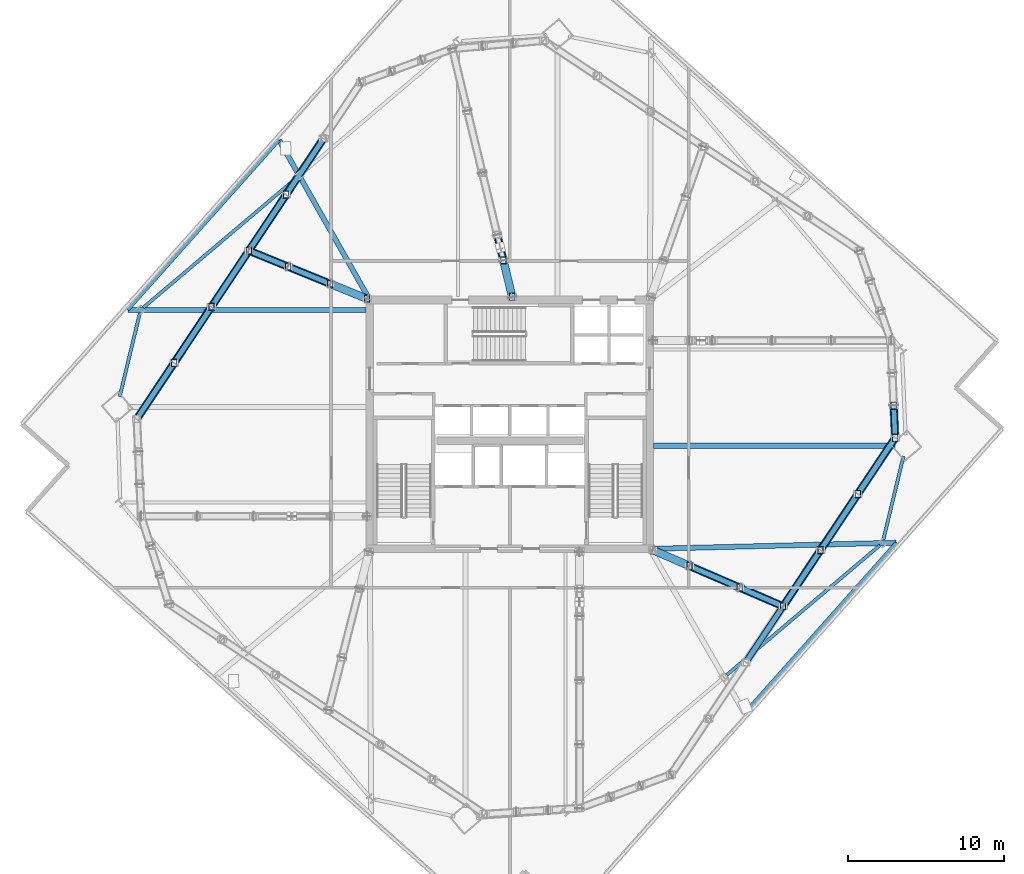
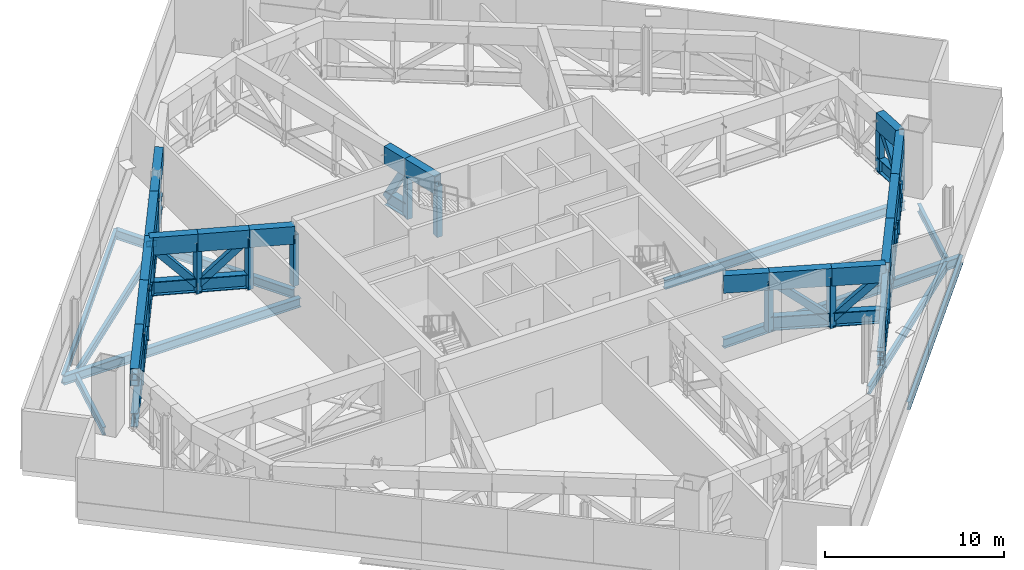
# One storey, part 4 of 18: 63 members, 10 beams.
"""IFC4 building model written with IfcOpenShell, lengths in metres."""

from ifc_helpers import new_model, si_unit, direction, frame, origin, origin_2d, place, context, subcontext, project, spatial, hollow_rectangle, i_section, extrude, material, material_profile, profile_set, type_object, element, save


model = new_model("IFC4")

# Units and contexts
model_context = context("Model", 3, precision=1e-05, world=origin(), true_north=direction((0.0, 1.0)))
body_context = subcontext(model_context, "Body", "Model", "MODEL_VIEW")
ifc_project = project(units=[si_unit("LENGTHUNIT", "METRE"), si_unit("AREAUNIT", "SQUARE_METRE"), si_unit("VOLUMEUNIT", "CUBIC_METRE"), si_unit("PLANEANGLEUNIT", "RADIAN"), si_unit("MASSUNIT", "GRAM", prefix="KILO")], contexts=[model_context])

# Site, building, storey
site_placement = place(None, origin())
site = spatial("IfcSite", under=ifc_project, at=site_placement, CompositionType="ELEMENT")
building_placement = place(site_placement, origin())
building = spatial("IfcBuilding", under=site, at=building_placement, Name="Haldenkirk Collegiate Tower", CompositionType="ELEMENT")
storey_placement = place(building_placement, frame((0.0, 0.0, 189.449951171875)))
storey = spatial("IfcBuildingStorey", under=building, at=storey_placement, Name="L47", CompositionType="ELEMENT", Elevation=189.449951171875)

# Beams
ifc_material_1 = material(Name="Steel ASTM A992 Grade 50", Category="steel")
ifc_material_profile_1 = material_profile(ifc_material_1, i_section(OverallWidth=0.324951171875, OverallDepth=0.615966796875, WebThickness=0.013916015625, FlangeThickness=0.021484375, at=origin_2d()), Name="W24X117")
ifc_profile_set_1 = profile_set([ifc_material_profile_1], Name="Steel ASTM A992 Grade 50")
beam_type_1 = type_object("IfcBeamType", Name="BM-GIRDER-W24X117", PredefinedType="BEAM", material=ifc_profile_set_1)
beam_1_placement = place(storey_placement, frame((60.760009765625, 24.62890625, -0.718017578125), z_axis=(-1.0, 0.0, 0.0), x_axis=(0.0, -1.0, 0.0)))
element("IfcBeam", 1, at=beam_1_placement, inside=storey, type_object=beam_type_1, Name="L47 primary floor girder 02", PredefinedType="BEAM", context=body_context, shape_type="SweptSolid", body=[
    extrude(i_section(OverallWidth=0.324951171875, OverallDepth=0.615966796875, WebThickness=0.013916015625, FlangeThickness=0.021484375, at=origin_2d()), origin(), (0.0, 0.0, 1.0), 15.530029296875),
])
beam_2_placement = place(storey_placement, frame((60.839111328125, 18.394775390625, -0.718017578125), z_axis=(-0.999689353193, -0.024923826214, 0.0), x_axis=(0.024923826214, -0.999689353193, 0.0)))
element("IfcBeam", 2, at=beam_2_placement, inside=storey, type_object=beam_type_1, Name="L47 primary floor girder 07", PredefinedType="BEAM", context=body_context, shape_type="SweptSolid", body=[
    extrude(i_section(OverallWidth=0.324951171875, OverallDepth=0.615966796875, WebThickness=0.013916015625, FlangeThickness=0.021484375, at=origin_2d()), origin(), (0.0, 0.0, 1.0), 15.614013671875),
])
beam_3_placement = place(storey_placement, frame((21.16748046875, 44.272705078125, -0.718017578125), z_axis=(0.493737788908, -0.869610830087, 0.0), x_axis=(0.869610830087, 0.493737788908, 0.0)))
element("IfcBeam", 3, at=beam_3_placement, inside=storey, type_object=beam_type_1, Name="L47 primary floor girder 12", PredefinedType="BEAM", context=body_context, shape_type="SweptSolid", body=[
    extrude(i_section(OverallWidth=0.324951171875, OverallDepth=0.615966796875, WebThickness=0.013916015625, FlangeThickness=0.021484375, at=origin_2d()), origin(), (0.0, 0.0, 1.0), 11.5830078125),
])
beam_4_placement = place(storey_placement, frame((11.44482421875, 33.360107421875, -0.718017578125), z_axis=(1.0, 0.0, 0.0), x_axis=(0.0, 1.0, 0.0)))
element("IfcBeam", 4, at=beam_4_placement, inside=storey, type_object=beam_type_1, Name="L47 primary floor girder 13", PredefinedType="BEAM", context=body_context, shape_type="SweptSolid", body=[
    extrude(i_section(OverallWidth=0.324951171875, OverallDepth=0.615966796875, WebThickness=0.013916015625, FlangeThickness=0.021484375, at=origin_2d()), origin(), (0.0, 0.0, 1.0), 15.3251953125),
])
ifc_material_profile_2 = material_profile(ifc_material_1, i_section(OverallWidth=0.2119140625, OverallDepth=0.5439453125, WebThickness=0.01318359375, FlangeThickness=0.021240234375, at=origin_2d()), Name="W21X83")
ifc_profile_set_2 = profile_set([ifc_material_profile_2], Name="Steel ASTM A992 Grade 50")
beam_type_2 = type_object("IfcBeamType", Name="BM-SPANDREL-W21X83", PredefinedType="SPANDREL", material=ifc_profile_set_2)
beam_5_placement = place(storey_placement, frame((49.937255859375, 9.89111328125, -0.681884765625), z_axis=(0.763233335078, 0.646122957514, 0.0), x_axis=(-0.646122957514, 0.763233335078, 0.0)))
element("IfcBeam", 5, at=beam_5_placement, inside=storey, type_object=beam_type_2, Name="L47 perimeter spandrel beam 03", PredefinedType="SPANDREL", context=body_context, shape_type="SweptSolid", body=[
    extrude(i_section(OverallWidth=0.2119140625, OverallDepth=0.5439453125, WebThickness=0.01318359375, FlangeThickness=0.021240234375, at=origin_2d()), origin(), (0.0, 0.0, 1.0), 12.898193359375),
])
beam_6_placement = place(storey_placement, frame((60.010009765625, 18.595458984375, -0.681884765625), z_axis=(0.23444531808, 0.972129308698, 0.0), x_axis=(-0.972129308698, 0.23444531808, 0.0)))
element("IfcBeam", 6, at=beam_6_placement, inside=storey, type_object=beam_type_2, Name="L47 perimeter spandrel beam 04", PredefinedType="SPANDREL", context=body_context, shape_type="SweptSolid", body=[
    extrude(i_section(OverallWidth=0.2119140625, OverallDepth=0.5439453125, WebThickness=0.01318359375, FlangeThickness=0.021240234375, at=origin_2d()), origin(), (0.0, 0.0, 1.0), 5.50146484375),
])
beam_7_placement = place(storey_placement, frame((22.288818359375, 41.841796875, -0.681884765625), z_axis=(-0.76322543275, -0.64613229203, 0.0), x_axis=(0.64613229203, -0.76322543275, 0.0)))
element("IfcBeam", 7, at=beam_7_placement, inside=storey, type_object=beam_type_2, Name="L47 perimeter spandrel beam 11", PredefinedType="SPANDREL", context=body_context, shape_type="SweptSolid", body=[
    extrude(i_section(OverallWidth=0.2119140625, OverallDepth=0.5439453125, WebThickness=0.01318359375, FlangeThickness=0.021240234375, at=origin_2d()), origin(), (0.0, 0.0, 1.0), 12.89794921875),
])
beam_8_placement = place(storey_placement, frame((12.21630859375, 33.137451171875, -0.681884765625), z_axis=(-0.234477140293, -0.972121633686, 0.0), x_axis=(0.972121633686, -0.234477140293, 0.0)))
element("IfcBeam", 8, at=beam_8_placement, inside=storey, type_object=beam_type_2, Name="L47 perimeter spandrel beam 12", PredefinedType="SPANDREL", context=body_context, shape_type="SweptSolid", body=[
    extrude(i_section(OverallWidth=0.2119140625, OverallDepth=0.5439453125, WebThickness=0.01318359375, FlangeThickness=0.021240234375, at=origin_2d()), origin(), (0.0, 0.0, 1.0), 5.501708984375),
])
beam_9_placement = place(storey_placement, frame((51.0859375, 7.4482421875, -0.681884765625), z_axis=(0.665236761826, 0.746632473654, 0.0), x_axis=(-0.746632473654, 0.665236761826, 0.0)))
element("IfcBeam", 9, at=beam_9_placement, inside=storey, type_object=beam_type_2, Name="L47 outer facade edge beam 1", PredefinedType="SPANDREL", context=body_context, shape_type="SweptSolid", body=[
    extrude(i_section(OverallWidth=0.2119140625, OverallDepth=0.5439453125, WebThickness=0.01318359375, FlangeThickness=0.021240234375, at=origin_2d()), origin(), (0.0, 0.0, 1.0), 14.6611328125),
])
beam_10_placement = place(storey_placement, frame((21.16748046875, 44.272705078125, -0.681884765625), z_axis=(-0.665226021624, -0.746642042852, 0.0), x_axis=(0.746642042852, -0.665226021624, 0.0)))
element("IfcBeam", 10, at=beam_10_placement, inside=storey, type_object=beam_type_2, Name="L47 outer facade edge beam 3", PredefinedType="SPANDREL", context=body_context, shape_type="SweptSolid", body=[
    extrude(i_section(OverallWidth=0.2119140625, OverallDepth=0.5439453125, WebThickness=0.01318359375, FlangeThickness=0.021240234375, at=origin_2d()), origin(), (0.0, 0.0, 1.0), 14.615478515625),
])

# Members
ifc_material_2 = material(Name="Steel ASTM A572 Grade 50", Category="steel")
ifc_material_profile_3 = material_profile(ifc_material_2, hollow_rectangle(XDim=0.5, YDim=1.199951171875, WallThickness=0.050048828125, at=origin_2d()), Name="BOX1200X500X50")
ifc_profile_set_3 = profile_set([ifc_material_profile_3], Name="Steel ASTM A572 Grade 50")
member_type_1 = type_object("IfcMemberType", Name="MBR-CHORD-BOX1200", PredefinedType="CHORD", material=ifc_profile_set_3)
member_1_placement = place(storey_placement, frame((36.153076171875, 34.1943359375, 3.489990234375), z_axis=(-0.234348342714, 0.972152690819, 0.0), x_axis=(-0.972152690819, -0.234348342714, 0.0)))
element("IfcMember", 11, at=member_1_placement, inside=storey, type_object=member_type_1, Name="Outrigger Truss L47 Radial 03 top chord 1", PredefinedType="CHORD", context=body_context, shape_type="SweptSolid", body=[
    extrude(hollow_rectangle(XDim=0.5, YDim=1.199951171875, WallThickness=0.050048828125, at=origin_2d()), origin(), (0.0, 0.0, 1.0), 2.423095703125),
])
member_2_placement = place(storey_placement, frame((35.585205078125, 36.550048828125, 3.489990234375), z_axis=(-0.234446109128, 0.972129117924, 0.0), x_axis=(-0.972129117924, -0.234446109128, 0.0)))
element("IfcMember", 12, at=member_2_placement, inside=storey, type_object=member_type_1, Name="Outrigger Truss L47 Radial 03 top chord 2", PredefinedType="CHORD", context=body_context, shape_type="SweptSolid", body=[
    extrude(hollow_rectangle(XDim=0.5, YDim=1.199951171875, WallThickness=0.050048828125, at=origin_2d()), origin(), (0.0, 0.0, 1.0), 1.677734375),
])
member_3_placement = place(storey_placement, frame((45.18359375, 17.9208984375, 3.489990234375), z_axis=(0.91832468013, -0.395827970038, 0.0), x_axis=(0.395827970038, 0.91832468013, 0.0)))
element("IfcMember", 13, at=member_3_placement, inside=storey, type_object=member_type_1, Name="Outrigger Truss L47 Radial 05 top chord 1", PredefinedType="CHORD", context=body_context, shape_type="SweptSolid", body=[
    extrude(hollow_rectangle(XDim=0.5, YDim=1.199951171875, WallThickness=0.050048828125, at=origin_2d()), origin(), (0.0, 0.0, 1.0), 2.576904296875),
])
member_4_placement = place(storey_placement, frame((47.550048828125, 16.90087890625, 3.489990234375), z_axis=(0.918278709874, -0.395934604439, 0.0), x_axis=(0.395934604439, 0.918278709874, 0.0)))
element("IfcMember", 14, at=member_4_placement, inside=storey, type_object=member_type_1, Name="Outrigger Truss L47 Radial 05 top chord 2", PredefinedType="CHORD", context=body_context, shape_type="SweptSolid", body=[
    extrude(hollow_rectangle(XDim=0.5, YDim=1.199951171875, WallThickness=0.050048828125, at=origin_2d()), origin(), (0.0, 0.0, 1.0), 3.50732421875),
])
member_5_placement = place(storey_placement, frame((50.770751953125, 15.51220703125, 3.489990234375), z_axis=(0.918333642408, -0.39580717682, 0.0), x_axis=(0.39580717682, 0.918333642408, 0.0)))
element("IfcMember", 15, at=member_5_placement, inside=storey, type_object=member_type_1, Name="Outrigger Truss L47 Radial 05 top chord 3", PredefinedType="CHORD", context=body_context, shape_type="SweptSolid", body=[
    extrude(hollow_rectangle(XDim=0.5, YDim=1.199951171875, WallThickness=0.050048828125, at=origin_2d()), origin(), (0.0, 0.0, 1.0), 3.042236328125),
])
member_6_placement = place(storey_placement, frame((26.814697265625, 34.075439453125, 3.489990234375), z_axis=(-0.926164113393, 0.377120716831, 0.0), x_axis=(-0.377120716831, -0.926164113393, 0.0)))
element("IfcMember", 16, at=member_6_placement, inside=storey, type_object=member_type_1, Name="Outrigger Truss L47 Radial 07 top chord 1", PredefinedType="CHORD", context=body_context, shape_type="SweptSolid", body=[
    extrude(hollow_rectangle(XDim=0.5, YDim=1.199951171875, WallThickness=0.050048828125, at=origin_2d()), origin(), (0.0, 0.0, 1.0), 2.55322265625),
])
member_7_placement = place(storey_placement, frame((24.449951171875, 35.038330078125, 3.489990234375), z_axis=(-0.92614339915, 0.377171584575, 0.0), x_axis=(-0.377171584575, -0.92614339915, 0.0)))
element("IfcMember", 17, at=member_7_placement, inside=storey, type_object=member_type_1, Name="Outrigger Truss L47 Radial 07 top chord 2", PredefinedType="CHORD", context=body_context, shape_type="SweptSolid", body=[
    extrude(hollow_rectangle(XDim=0.5, YDim=1.199951171875, WallThickness=0.050048828125, at=origin_2d()), origin(), (0.0, 0.0, 1.0), 2.908935546875),
])
member_8_placement = place(storey_placement, frame((21.755859375, 36.135498046875, 3.489990234375), z_axis=(-0.926159439459, 0.377132195259, 0.0), x_axis=(-0.377132195259, -0.926159439459, 0.0)))
element("IfcMember", 18, at=member_8_placement, inside=storey, type_object=member_type_1, Name="Outrigger Truss L47 Radial 07 top chord 3", PredefinedType="CHORD", context=body_context, shape_type="SweptSolid", body=[
    extrude(hollow_rectangle(XDim=0.5, YDim=1.199951171875, WallThickness=0.050048828125, at=origin_2d()), origin(), (0.0, 0.0, 1.0), 2.731201171875),
])
for number, where, z_axis, x_axis, name in (
    (19, (53.564453125, 14.30810546875, 3.489990234375), (0.554101801852, 0.832448913258, 0.0), (-0.832448913258, 0.554101801852, 0.0), "Belt Truss L47-03 top chord 1"),
    (20, (55.96484375, 17.914306640625, 3.489990234375), (0.554101801852, 0.832448913258, 0.0), (-0.832448913258, 0.554101801852, 0.0), "Belt Truss L47-03 top chord 2"),
    (21, (58.365234375, 21.5205078125, 3.489990234375), (0.554166850243, 0.832405611521, 0.0), (-0.832405611521, 0.554166850243, 0.0), "Belt Truss L47-03 top chord 3"),
):
    element("IfcMember", number, at=place(storey_placement, frame(where, z_axis=z_axis, x_axis=x_axis)), inside=storey, type_object=member_type_1, Name=name, PredefinedType="CHORD", context=body_context, shape_type="SweptSolid", body=[
        extrude(hollow_rectangle(XDim=0.5, YDim=1.199951171875, WallThickness=0.050048828125, at=origin_2d()), origin(), (0.0, 0.0, 1.0), 4.33203125),
    ])
member_9_placement = place(storey_placement, frame((60.765869140625, 25.12646484375, 3.489990234375), z_axis=(-0.044665118208, 0.999002015621, 0.0), x_axis=(-0.999002015621, -0.044665118208, 0.0)))
element("IfcMember", 22, at=member_9_placement, inside=storey, type_object=member_type_1, Name="Belt Truss L47-04 top chord 1", PredefinedType="CHORD", context=body_context, shape_type="SweptSolid", body=[
    extrude(hollow_rectangle(XDim=0.5, YDim=1.199951171875, WallThickness=0.050048828125, at=origin_2d()), origin(), (0.0, 0.0, 1.0), 2.088134765625),
])
member_10_placement = place(storey_placement, frame((24.02734375, 44.377685546875, 3.489990234375), z_axis=(-0.554140853784, -0.832422917853, 0.0), x_axis=(0.832422917853, -0.554140853784, 0.0)))
element("IfcMember", 23, at=member_10_placement, inside=storey, type_object=member_type_1, Name="Belt Truss L47-10 top chord 2", PredefinedType="CHORD", context=body_context, shape_type="SweptSolid", body=[
    extrude(hollow_rectangle(XDim=0.5, YDim=1.199951171875, WallThickness=0.050048828125, at=origin_2d()), origin(), (0.0, 0.0, 1.0), 4.332275390625),
])
member_11_placement = place(storey_placement, frame((21.626708984375, 40.771484375, 3.489990234375), z_axis=(-0.554127798102, -0.832431608825, 0.0), x_axis=(0.832431608825, -0.554127798102, 0.0)))
element("IfcMember", 24, at=member_11_placement, inside=storey, type_object=member_type_1, Name="Belt Truss L47-10 top chord 3", PredefinedType="CHORD", context=body_context, shape_type="SweptSolid", body=[
    extrude(hollow_rectangle(XDim=0.5, YDim=1.199951171875, WallThickness=0.050048828125, at=origin_2d()), origin(), (0.0, 0.0, 1.0), 4.331787109375),
])
for number, where, z_axis, x_axis, name in (
    (25, (19.226318359375, 37.16552734375, 3.489990234375), (-0.554101801852, -0.832448913258, 0.0), (0.832448913258, -0.554101801852, 0.0), "Belt Truss L47-11 top chord 1"),
    (26, (16.825927734375, 33.559326171875, 3.489990234375), (-0.554101801852, -0.832448913258, 0.0), (0.832448913258, -0.554101801852, 0.0), "Belt Truss L47-11 top chord 2"),
):
    element("IfcMember", number, at=place(storey_placement, frame(where, z_axis=z_axis, x_axis=x_axis)), inside=storey, type_object=member_type_1, Name=name, PredefinedType="CHORD", context=body_context, shape_type="SweptSolid", body=[
        extrude(hollow_rectangle(XDim=0.5, YDim=1.199951171875, WallThickness=0.050048828125, at=origin_2d()), origin(), (0.0, 0.0, 1.0), 4.33203125),
    ])
member_12_placement = place(storey_placement, frame((14.425537109375, 29.953125, 3.489990234375), z_axis=(-0.554127798102, -0.832431608825, 0.0), x_axis=(0.832431608825, -0.554127798102, 0.0)))
element("IfcMember", 27, at=member_12_placement, inside=storey, type_object=member_type_1, Name="Belt Truss L47-11 top chord 3", PredefinedType="CHORD", context=body_context, shape_type="SweptSolid", body=[
    extrude(hollow_rectangle(XDim=0.5, YDim=1.199951171875, WallThickness=0.050048828125, at=origin_2d()), origin(), (0.0, 0.0, 1.0), 4.331787109375),
])
ifc_material_3 = material(Name="Steel ASTM A913 Grade 65", Category="steel")
ifc_material_profile_4 = material_profile(ifc_material_3, i_section(OverallWidth=0.423095703125, OverallDepth=0.947998046875, WebThickness=0.02392578125, FlangeThickness=0.042724609375, at=origin_2d()), Name="W36X302")
ifc_profile_set_4 = profile_set([ifc_material_profile_4], Name="Steel ASTM A913 Grade 65")
member_type_2 = type_object("IfcMemberType", Name="MBR-CHORD-W36X302", PredefinedType="CHORD", material=ifc_profile_set_4)
member_13_placement = place(storey_placement, frame((35.585205078125, 36.550048828125, 0.550048828125), z_axis=(-0.234446109128, 0.972129117924, 0.0), x_axis=(-0.972129117924, -0.234446109128, 0.0)))
element("IfcMember", 28, at=member_13_placement, inside=storey, type_object=member_type_2, Name="Outrigger Truss L47 Radial 03 bottom chord 2", PredefinedType="CHORD", context=body_context, shape_type="SweptSolid", body=[
    extrude(i_section(OverallWidth=0.423095703125, OverallDepth=0.947998046875, WebThickness=0.02392578125, FlangeThickness=0.042724609375, at=origin_2d()), origin(), (0.0, 0.0, 1.0), 1.677734375),
])
member_14_placement = place(storey_placement, frame((47.550048828125, 16.90087890625, 0.550048828125), z_axis=(0.918278709874, -0.395934604439, 0.0), x_axis=(0.395934604439, 0.918278709874, 0.0)))
element("IfcMember", 29, at=member_14_placement, inside=storey, type_object=member_type_2, Name="Outrigger Truss L47 Radial 05 bottom chord 2", PredefinedType="CHORD", context=body_context, shape_type="SweptSolid", body=[
    extrude(i_section(OverallWidth=0.423095703125, OverallDepth=0.947998046875, WebThickness=0.02392578125, FlangeThickness=0.042724609375, at=origin_2d()), origin(), (0.0, 0.0, 1.0), 3.50732421875),
])
member_15_placement = place(storey_placement, frame((50.770751953125, 15.51220703125, 0.550048828125), z_axis=(0.918333642408, -0.39580717682, 0.0), x_axis=(0.39580717682, 0.918333642408, 0.0)))
element("IfcMember", 30, at=member_15_placement, inside=storey, type_object=member_type_2, Name="Outrigger Truss L47 Radial 05 bottom chord 3", PredefinedType="CHORD", context=body_context, shape_type="SweptSolid", body=[
    extrude(i_section(OverallWidth=0.423095703125, OverallDepth=0.947998046875, WebThickness=0.02392578125, FlangeThickness=0.042724609375, at=origin_2d()), origin(), (0.0, 0.0, 1.0), 3.042236328125),
])
member_16_placement = place(storey_placement, frame((24.449951171875, 35.038330078125, 0.550048828125), z_axis=(-0.92614339915, 0.377171584575, 0.0), x_axis=(-0.377171584575, -0.92614339915, 0.0)))
element("IfcMember", 31, at=member_16_placement, inside=storey, type_object=member_type_2, Name="Outrigger Truss L47 Radial 07 bottom chord 2", PredefinedType="CHORD", context=body_context, shape_type="SweptSolid", body=[
    extrude(i_section(OverallWidth=0.423095703125, OverallDepth=0.947998046875, WebThickness=0.02392578125, FlangeThickness=0.042724609375, at=origin_2d()), origin(), (0.0, 0.0, 1.0), 2.908935546875),
])
member_17_placement = place(storey_placement, frame((21.755859375, 36.135498046875, 0.550048828125), z_axis=(-0.926159439459, 0.377132195259, 0.0), x_axis=(-0.377132195259, -0.926159439459, 0.0)))
element("IfcMember", 32, at=member_17_placement, inside=storey, type_object=member_type_2, Name="Outrigger Truss L47 Radial 07 bottom chord 3", PredefinedType="CHORD", context=body_context, shape_type="SweptSolid", body=[
    extrude(i_section(OverallWidth=0.423095703125, OverallDepth=0.947998046875, WebThickness=0.02392578125, FlangeThickness=0.042724609375, at=origin_2d()), origin(), (0.0, 0.0, 1.0), 2.731201171875),
])
for number, where, z_axis, x_axis, name in (
    (33, (51.1640625, 10.701904296875, 0.550048828125), (0.554101801852, 0.832448913258, 0.0), (-0.832448913258, 0.554101801852, 0.0), "Belt Truss L47-02 bottom chord 3"),
    (34, (53.564453125, 14.30810546875, 0.550048828125), (0.554101801852, 0.832448913258, 0.0), (-0.832448913258, 0.554101801852, 0.0), "Belt Truss L47-03 bottom chord 1"),
    (35, (55.96484375, 17.914306640625, 0.550048828125), (0.554101801852, 0.832448913258, 0.0), (-0.832448913258, 0.554101801852, 0.0), "Belt Truss L47-03 bottom chord 2"),
    (36, (58.365234375, 21.5205078125, 0.550048828125), (0.554166850243, 0.832405611521, 0.0), (-0.832405611521, 0.554166850243, 0.0), "Belt Truss L47-03 bottom chord 3"),
):
    element("IfcMember", number, at=place(storey_placement, frame(where, z_axis=z_axis, x_axis=x_axis)), inside=storey, type_object=member_type_2, Name=name, PredefinedType="CHORD", context=body_context, shape_type="SweptSolid", body=[
        extrude(i_section(OverallWidth=0.423095703125, OverallDepth=0.947998046875, WebThickness=0.02392578125, FlangeThickness=0.042724609375, at=origin_2d()), origin(), (0.0, 0.0, 1.0), 4.33203125),
    ])
member_18_placement = place(storey_placement, frame((60.765869140625, 25.12646484375, 0.550048828125), z_axis=(-0.044665118208, 0.999002015621, 0.0), x_axis=(-0.999002015621, -0.044665118208, 0.0)))
element("IfcMember", 37, at=member_18_placement, inside=storey, type_object=member_type_2, Name="Belt Truss L47-04 bottom chord 1", PredefinedType="CHORD", context=body_context, shape_type="SweptSolid", body=[
    extrude(i_section(OverallWidth=0.423095703125, OverallDepth=0.947998046875, WebThickness=0.02392578125, FlangeThickness=0.042724609375, at=origin_2d()), origin(), (0.0, 0.0, 1.0), 2.088134765625),
])
member_19_placement = place(storey_placement, frame((24.02734375, 44.377685546875, 0.550048828125), z_axis=(-0.554140853784, -0.832422917853, 0.0), x_axis=(0.832422917853, -0.554140853784, 0.0)))
element("IfcMember", 38, at=member_19_placement, inside=storey, type_object=member_type_2, Name="Belt Truss L47-10 bottom chord 2", PredefinedType="CHORD", context=body_context, shape_type="SweptSolid", body=[
    extrude(i_section(OverallWidth=0.423095703125, OverallDepth=0.947998046875, WebThickness=0.02392578125, FlangeThickness=0.042724609375, at=origin_2d()), origin(), (0.0, 0.0, 1.0), 4.332275390625),
])
member_20_placement = place(storey_placement, frame((21.626708984375, 40.771484375, 0.550048828125), z_axis=(-0.554127798102, -0.832431608825, 0.0), x_axis=(0.832431608825, -0.554127798102, 0.0)))
element("IfcMember", 39, at=member_20_placement, inside=storey, type_object=member_type_2, Name="Belt Truss L47-10 bottom chord 3", PredefinedType="CHORD", context=body_context, shape_type="SweptSolid", body=[
    extrude(i_section(OverallWidth=0.423095703125, OverallDepth=0.947998046875, WebThickness=0.02392578125, FlangeThickness=0.042724609375, at=origin_2d()), origin(), (0.0, 0.0, 1.0), 4.331787109375),
])
for number, where, z_axis, x_axis, name in (
    (40, (19.226318359375, 37.16552734375, 0.550048828125), (-0.554101801852, -0.832448913258, 0.0), (0.832448913258, -0.554101801852, 0.0), "Belt Truss L47-11 bottom chord 1"),
    (41, (16.825927734375, 33.559326171875, 0.550048828125), (-0.554101801852, -0.832448913258, 0.0), (0.832448913258, -0.554101801852, 0.0), "Belt Truss L47-11 bottom chord 2"),
):
    element("IfcMember", number, at=place(storey_placement, frame(where, z_axis=z_axis, x_axis=x_axis)), inside=storey, type_object=member_type_2, Name=name, PredefinedType="CHORD", context=body_context, shape_type="SweptSolid", body=[
        extrude(i_section(OverallWidth=0.423095703125, OverallDepth=0.947998046875, WebThickness=0.02392578125, FlangeThickness=0.042724609375, at=origin_2d()), origin(), (0.0, 0.0, 1.0), 4.33203125),
    ])
member_21_placement = place(storey_placement, frame((14.425537109375, 29.953125, 0.550048828125), z_axis=(-0.554127798102, -0.832431608825, 0.0), x_axis=(0.832431608825, -0.554127798102, 0.0)))
element("IfcMember", 42, at=member_21_placement, inside=storey, type_object=member_type_2, Name="Belt Truss L47-11 bottom chord 3", PredefinedType="CHORD", context=body_context, shape_type="SweptSolid", body=[
    extrude(i_section(OverallWidth=0.423095703125, OverallDepth=0.947998046875, WebThickness=0.02392578125, FlangeThickness=0.042724609375, at=origin_2d()), origin(), (0.0, 0.0, 1.0), 4.331787109375),
])
ifc_material_profile_5 = material_profile(ifc_material_2, hollow_rectangle(XDim=0.35009765625, YDim=0.35009765625, WallThickness=0.01611328125, at=origin_2d()), Name="HSS350X350X16")
ifc_profile_set_5 = profile_set([ifc_material_profile_5], Name="Steel ASTM A572 Grade 50")
member_type_3 = type_object("IfcMemberType", Name="MBR-TRUSSDIAG-HSS350X350X16", PredefinedType="BRACE", material=ifc_profile_set_5)
for number, where, z_axis, x_axis, name in (
    (43, (51.1640625, 10.701904296875, 0.550048828125), (0.458488925266, 0.688805931154, 0.561546342357), (-0.832448913258, 0.554101801852, 0.0), "Belt Truss L47-02 web diagonal 3"),
    (44, (53.564453125, 14.30810546875, 0.550048828125), (0.458488925266, 0.688805931154, 0.561546342357), (-0.832448913258, 0.554101801852, 0.0), "Belt Truss L47-03 web diagonal 1"),
    (45, (55.96484375, 17.914306640625, 3.489990234375), (0.458488925266, 0.688805931154, -0.561546342357), (-0.832448913258, 0.554101801852, 0.0), "Belt Truss L47-03 web diagonal 2"),
    (46, (58.365234375, 21.5205078125, 0.550048828125), (0.458540481435, 0.688766694883, 0.561552372362), (-0.832405611521, 0.554166850243, 0.0), "Belt Truss L47-03 web diagonal 3"),
):
    element("IfcMember", number, at=place(storey_placement, frame(where, z_axis=z_axis, x_axis=x_axis)), inside=storey, type_object=member_type_3, Name=name, PredefinedType="BRACE", context=body_context, shape_type="SweptSolid", body=[
        extrude(hollow_rectangle(XDim=0.35009765625, YDim=0.35009765625, WallThickness=0.01611328125, at=origin_2d()), origin(), (0.0, 0.0, 1.0), 5.2353515625),
    ])
member_22_placement = place(storey_placement, frame((60.765869140625, 25.12646484375, 0.550048828125), z_axis=(-0.025863074819, 0.578466259818, 0.815296196246), x_axis=(-0.999002015621, -0.044665118208, 0.0)))
element("IfcMember", 47, at=member_22_placement, inside=storey, type_object=member_type_3, Name="Belt Truss L47-04 web diagonal 1", PredefinedType="BRACE", context=body_context, shape_type="SweptSolid", body=[
    extrude(hollow_rectangle(XDim=0.35009765625, YDim=0.35009765625, WallThickness=0.01611328125, at=origin_2d()), origin(), (0.0, 0.0, 1.0), 3.60595703125),
])
member_23_placement = place(storey_placement, frame((24.02734375, 44.377685546875, 3.489990234375), z_axis=(-0.458525753724, -0.688791203931, -0.561534336046), x_axis=(0.832422917853, -0.554140853784, 0.0)))
element("IfcMember", 48, at=member_23_placement, inside=storey, type_object=member_type_3, Name="Belt Truss L47-10 web diagonal 2", PredefinedType="BRACE", context=body_context, shape_type="SweptSolid", body=[
    extrude(hollow_rectangle(XDim=0.35009765625, YDim=0.35009765625, WallThickness=0.01611328125, at=origin_2d()), origin(), (0.0, 0.0, 1.0), 5.235595703125),
])
for number, where, z_axis, x_axis, name in (
    (49, (21.626708984375, 40.771484375, 0.550048828125), (-0.458503652424, -0.688781422528, 0.56156437983), (0.832431608825, -0.554127798102, 0.0), "Belt Truss L47-10 web diagonal 3"),
    (50, (19.226318359375, 37.16552734375, 0.550048828125), (-0.458488925266, -0.688805931154, 0.561546342357), (0.832448913258, -0.554101801852, 0.0), "Belt Truss L47-11 web diagonal 1"),
    (51, (16.825927734375, 33.559326171875, 3.489990234375), (-0.458488925266, -0.688805931154, -0.561546342357), (0.832448913258, -0.554101801852, 0.0), "Belt Truss L47-11 web diagonal 2"),
    (52, (14.425537109375, 29.953125, 0.550048828125), (-0.458503652424, -0.688781422528, 0.56156437983), (0.832431608825, -0.554127798102, 0.0), "Belt Truss L47-11 web diagonal 3"),
):
    element("IfcMember", number, at=place(storey_placement, frame(where, z_axis=z_axis, x_axis=x_axis)), inside=storey, type_object=member_type_3, Name=name, PredefinedType="BRACE", context=body_context, shape_type="SweptSolid", body=[
        extrude(hollow_rectangle(XDim=0.35009765625, YDim=0.35009765625, WallThickness=0.01611328125, at=origin_2d()), origin(), (0.0, 0.0, 1.0), 5.2353515625),
    ])
ifc_material_profile_6 = material_profile(ifc_material_2, hollow_rectangle(XDim=0.35009765625, YDim=0.449951171875, WallThickness=0.02197265625, at=origin_2d()), Name="HSS450X350X22")
ifc_profile_set_6 = profile_set([ifc_material_profile_6], Name="Steel ASTM A572 Grade 50")
member_type_4 = type_object("IfcMemberType", Name="MBR-TRUSSDIAG-HSS450X350X22", PredefinedType="BRACE", material=ifc_profile_set_6)
member_24_placement = place(storey_placement, frame((35.585205078125, 36.550048828125, 3.489990234375), z_axis=(-0.116195095832, 0.481802135416, -0.868542112976), x_axis=(-0.972129117924, -0.234446109128, 0.0)))
element("IfcMember", 53, at=member_24_placement, inside=storey, type_object=member_type_4, Name="Outrigger Truss L47 Radial 03 web diagonal 2", PredefinedType="BRACE", context=body_context, shape_type="SweptSolid", body=[
    extrude(hollow_rectangle(XDim=0.35009765625, YDim=0.449951171875, WallThickness=0.02197265625, at=origin_2d()), origin(), (0.0, 0.0, 1.0), 3.385009765625),
])
member_25_placement = place(storey_placement, frame((47.550048828125, 16.90087890625, 3.489990234375), z_axis=(0.703744032169, -0.303433600286, -0.642395818327), x_axis=(0.395934604439, 0.918278709874, 0.0)))
element("IfcMember", 54, at=member_25_placement, inside=storey, type_object=member_type_4, Name="Outrigger Truss L47 Radial 05 web diagonal 2", PredefinedType="BRACE", context=body_context, shape_type="SweptSolid", body=[
    extrude(hollow_rectangle(XDim=0.35009765625, YDim=0.449951171875, WallThickness=0.02197265625, at=origin_2d()), origin(), (0.0, 0.0, 1.0), 4.576416015625),
])
member_26_placement = place(storey_placement, frame((50.770751953125, 15.51220703125, 0.550048828125), z_axis=(0.660357517652, -0.284617956573, 0.694924864771), x_axis=(0.39580717682, 0.918333642408, 0.0)))
element("IfcMember", 55, at=member_26_placement, inside=storey, type_object=member_type_4, Name="Outrigger Truss L47 Radial 05 web diagonal 3", PredefinedType="BRACE", context=body_context, shape_type="SweptSolid", body=[
    extrude(hollow_rectangle(XDim=0.35009765625, YDim=0.449951171875, WallThickness=0.02197265625, at=origin_2d()), origin(), (0.0, 0.0, 1.0), 4.23046875),
])
member_27_placement = place(storey_placement, frame((24.449951171875, 35.038330078125, 3.489990234375), z_axis=(-0.651401527993, 0.265283050911, -0.710845237888), x_axis=(-0.377171584575, -0.92614339915, 0.0)))
element("IfcMember", 56, at=member_27_placement, inside=storey, type_object=member_type_4, Name="Outrigger Truss L47 Radial 07 web diagonal 2", PredefinedType="BRACE", context=body_context, shape_type="SweptSolid", body=[
    extrude(hollow_rectangle(XDim=0.35009765625, YDim=0.449951171875, WallThickness=0.02197265625, at=origin_2d()), origin(), (0.0, 0.0, 1.0), 4.1357421875),
])
member_28_placement = place(storey_placement, frame((21.755859375, 36.135498046875, 0.550048828125), z_axis=(-0.630363579399, 0.256684098203, 0.732635674464), x_axis=(-0.377132195259, -0.926159439459, 0.0)))
element("IfcMember", 57, at=member_28_placement, inside=storey, type_object=member_type_4, Name="Outrigger Truss L47 Radial 07 web diagonal 3", PredefinedType="BRACE", context=body_context, shape_type="SweptSolid", body=[
    extrude(hollow_rectangle(XDim=0.35009765625, YDim=0.449951171875, WallThickness=0.02197265625, at=origin_2d()), origin(), (0.0, 0.0, 1.0), 4.012939453125),
])
ifc_material_profile_7 = material_profile(ifc_material_2, hollow_rectangle(XDim=0.35009765625, YDim=0.449951171875, WallThickness=0.02197265625, at=origin_2d()), Name="HSS450X350X22")
ifc_profile_set_7 = profile_set([ifc_material_profile_7], Name="Steel ASTM A572 Grade 50")
member_type_5 = type_object("IfcMemberType", Name="MBR-TRUSSPOST-HSS450X350X22", PredefinedType="POST", material=ifc_profile_set_7)
for number, where, z_axis, x_axis, name in (
    (58, (36.153076171875, 34.1943359375, 0.0), (0.0, 0.0, 1.0), (1.0, 0.0, 0.0), "Outrigger Truss L47 Radial 03 vertical post 1"),
    (59, (35.585205078125, 36.550048828125, 0.0), (0.0, 0.0, 1.0), (1.0, 0.0, 0.0), "Outrigger Truss L47 Radial 03 vertical post 2"),
    (60, (47.550048828125, 16.90087890625, 0.0), (0.0, 0.0, 1.0), (1.0, 0.0, 0.0), "Outrigger Truss L47 Radial 05 vertical post 2"),
    (61, (50.770751953125, 15.51220703125, 0.0), (0.0, 0.0, 1.0), (1.0, 0.0, 0.0), "Outrigger Truss L47 Radial 05 vertical post 3"),
    (62, (53.564453125, 14.30810546875, 0.0), (0.0, 0.0, 1.0), (1.0, 0.0, 0.0), "Outrigger Truss L47 Radial 05 vertical post 4"),
    (63, (26.814697265625, 34.075439453125, 0.0), (0.0, 0.0, 1.0), (1.0, 0.0, 0.0), "Outrigger Truss L47 Radial 07 vertical post 1"),
    (64, (24.449951171875, 35.038330078125, 0.0), (0.0, 0.0, 1.0), (1.0, 0.0, 0.0), "Outrigger Truss L47 Radial 07 vertical post 2"),
    (65, (21.755859375, 36.135498046875, 0.0), (0.0, 0.0, 1.0), (1.0, 0.0, 0.0), "Outrigger Truss L47 Radial 07 vertical post 3"),
    (66, (19.226318359375, 37.16552734375, 0.0), (0.0, 0.0, 1.0), (1.0, 0.0, 0.0), "Outrigger Truss L47 Radial 07 vertical post 4"),
    (67, (55.96484375, 17.914306640625, 0.0), (0.0, 0.0, 1.0), (1.0, 0.0, 0.0), "Belt Truss L47-03 vertical post 2"),
    (68, (58.365234375, 21.5205078125, 0.0), (0.0, 0.0, 1.0), (1.0, 0.0, 0.0), "Belt Truss L47-03 vertical post 3"),
    (69, (60.765869140625, 25.12646484375, 0.0), (0.0, 0.0, 1.0), (1.0, 0.0, 0.0), "Belt Truss L47-03 vertical post 4"),
    (70, (60.672607421875, 27.21240234375, 0.0), (0.0, 0.0, 1.0), (1.0, 0.0, 0.0), "Belt Truss L47-04 vertical post 2"),
    (71, (21.626708984375, 40.771484375, 0.0), (0.0, 0.0, 1.0), (1.0, 0.0, 0.0), "Belt Truss L47-10 vertical post 3"),
    (72, (16.825927734375, 33.559326171875, 0.0), (0.0, 0.0, 1.0), (1.0, 0.0, 0.0), "Belt Truss L47-11 vertical post 2"),
    (73, (14.425537109375, 29.953125, 0.0), (0.0, 0.0, 1.0), (1.0, 0.0, 0.0), "Belt Truss L47-11 vertical post 3"),
):
    element("IfcMember", number, at=place(storey_placement, frame(where, z_axis=z_axis, x_axis=x_axis)), inside=storey, type_object=member_type_5, Name=name, PredefinedType="POST", context=body_context, shape_type="SweptSolid", body=[
        extrude(hollow_rectangle(XDim=0.35009765625, YDim=0.449951171875, WallThickness=0.02197265625, at=origin_2d()), origin(), (0.0, 0.0, 1.0), 3.489990234375),
    ])

save(model, "model.ifc")
